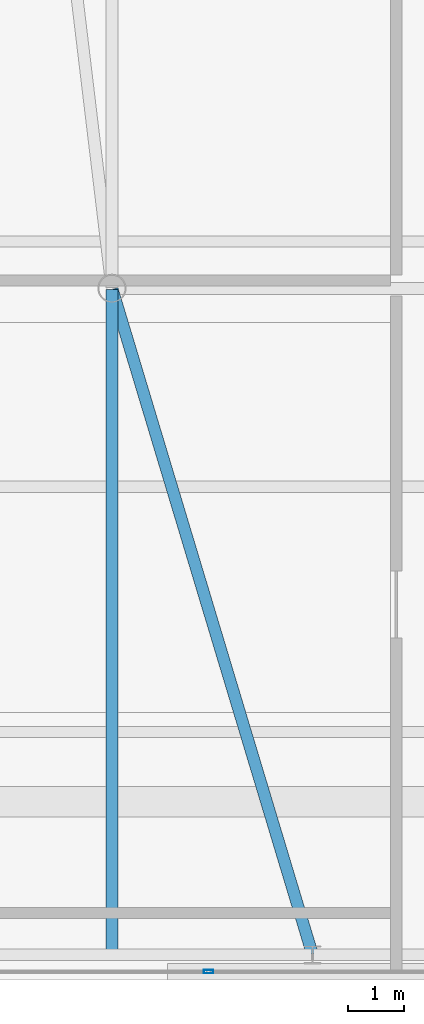
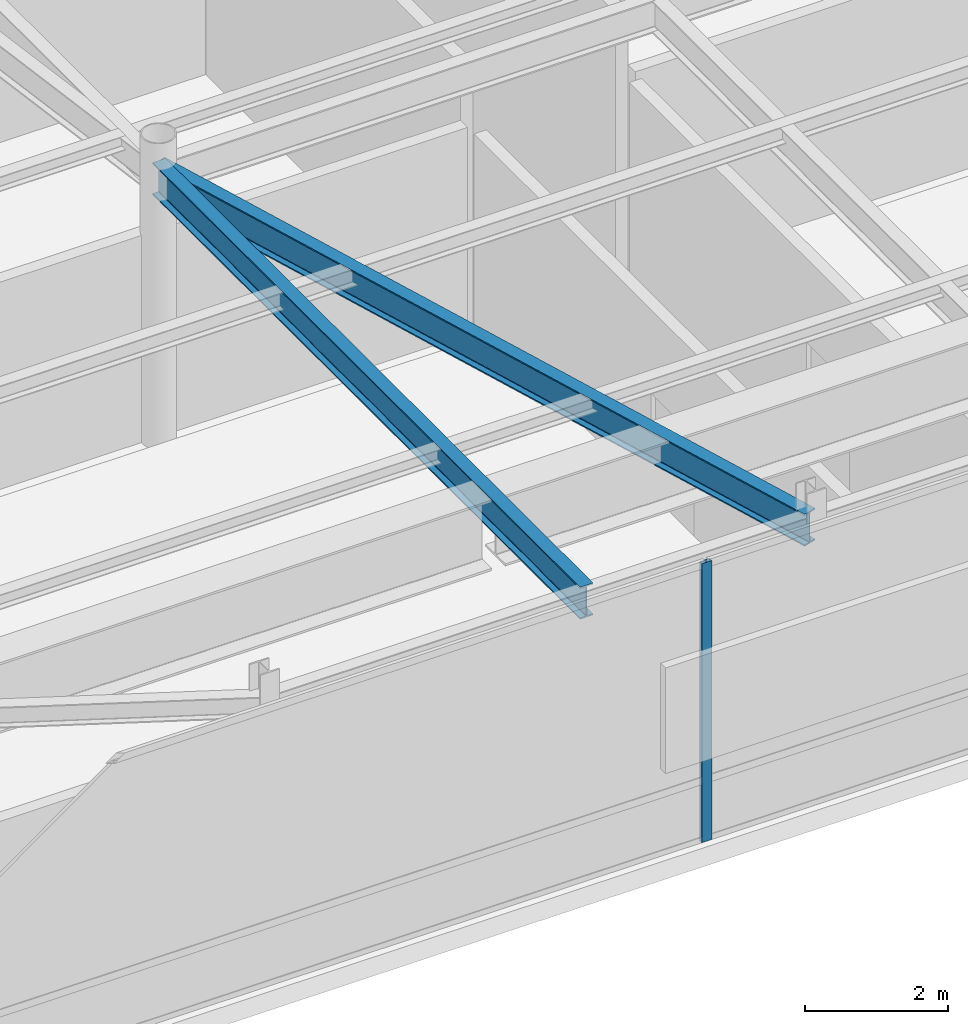
# One storey, part 6 of 20: 2 beams, 1 member, 1 element without a shape of its own.
"""IFC4 building model written with IfcOpenShell, lengths in metres."""

from ifc_helpers import new_model, si_unit, direction, frame, origin, origin_2d, place, context, subcontext, project, spatial, hollow_rectangle, i_section, extrude, source, transform, mapped, material, layer, layer_set, material_profile, profile_set, type_object, type_shapes, element, aggregate, save


model = new_model("IFC4")

# Units and contexts
model_context = context("Model", 3, precision=1e-05, world=origin(), true_north=direction((0.0, 1.0)))
body_context = subcontext(model_context, "Body", "Model", "MODEL_VIEW")
ifc_project = project(units=[si_unit("LENGTHUNIT", "METRE"), si_unit("AREAUNIT", "SQUARE_METRE"), si_unit("VOLUMEUNIT", "CUBIC_METRE"), si_unit("PLANEANGLEUNIT", "RADIAN"), si_unit("MASSUNIT", "GRAM", prefix="KILO")], contexts=[model_context])

# Site, building, storey
site_placement = place(None, origin())
site = spatial("IfcSite", under=ifc_project, at=site_placement, CompositionType="ELEMENT")
building_placement = place(site_placement, origin())
building = spatial("IfcBuilding", under=site, at=building_placement, Name="Varnel Quay Broadcast Tower", CompositionType="ELEMENT")
storey_placement = place(building_placement, frame((0.0, 0.0, 314.60009765625)))
storey = spatial("IfcBuildingStorey", under=building, at=storey_placement, Name="L78", CompositionType="ELEMENT", Elevation=314.60009765625)

# Beams
ifc_material_1 = material(Name="Structural Steel CSA G40.21 350W", Category="steel")
ifc_material_profile_1 = material_profile(ifc_material_1, i_section(OverallWidth=0.2119140625, OverallDepth=0.5439453125, WebThickness=0.01318359375, FlangeThickness=0.021240234375, FilletRadius=0.013916015625, at=origin_2d()), Name="W530X123")
ifc_profile_set_1 = profile_set([ifc_material_profile_1], Name="Structural Steel CSA G40.21 350W")
beam_type = type_object("IfcBeamType", Name="Girder_W530X123", PredefinedType="BEAM", material=ifc_profile_set_1)
shared_shape_1 = source(origin(), body_context, "Body", "SweptSolid", [
    extrude(i_section(OverallWidth=0.2119140625, OverallDepth=0.5439453125, WebThickness=0.01318359375, FlangeThickness=0.021240234375, FilletRadius=0.013916015625, at=origin_2d()), origin(), (0.0, 0.0, 1.0), 12.449951171875),
])
beam_1_placement = place(storey_placement, frame((29.59423828125, 13.669189453125, 4.477783203125), z_axis=(-0.28822390679, 0.957563042078, 0.0), x_axis=(-0.957563042078, -0.28822390679, 0.0)))
element("IfcBeam", 1, at=beam_1_placement, inside=storey, type_object=beam_type, Name="L78 Primary Girder TC-S2-IC-01", PredefinedType="BEAM", context=body_context, shape_type="MappedRepresentation", body=[
    mapped(shared_shape_1, transform((0.0, 0.0, 0.0), x_axis=(1.0, 0.0, 0.0), y_axis=(0.0, 1.0, 0.0), z_axis=(0.0, 0.0, 1.0), scale=1.0)),
])
shared_shape_2 = source(origin(), body_context, "Body", "SweptSolid", [
    extrude(i_section(OverallWidth=0.2119140625, OverallDepth=0.5439453125, WebThickness=0.01318359375, FlangeThickness=0.021240234375, FilletRadius=0.013916015625, at=origin_2d()), origin(), (0.0, 0.0, 1.0), 11.920166015625),
])
type_shapes(beam_type, [shared_shape_1, shared_shape_2])
beam_2_placement = place(storey_placement, frame((26.0, 13.669921875, 4.477783203125), z_axis=(0.0, 1.0, 0.0), x_axis=(-1.0, 0.0, 0.0)))
element("IfcBeam", 2, at=beam_2_placement, inside=storey, type_object=beam_type, Name="L78 N-S Joist Header IC-01S", PredefinedType="BEAM", context=body_context, shape_type="MappedRepresentation", body=[
    mapped(shared_shape_2, transform((0.0, 0.0, 0.0), x_axis=(1.0, 0.0, 0.0), y_axis=(0.0, 1.0, 0.0), z_axis=(0.0, 0.0, 1.0), scale=1.0)),
])

# Curtain wall, member
ifc_material_2 = material(Name="Anodised Bronze Aluminium 6063-T6", Category="aluminium")
ifc_layer = layer(ifc_material_2, 0.18994140625, Name="Anodised Bronze Aluminium 6063-T6")
ifc_layer_set = layer_set([ifc_layer], Name="Anodised Bronze Aluminium 6063-T6")
curtain_wall_type = type_object("IfcCurtainWallType", Name="CW_UpperTower", PredefinedType="NOTDEFINED", material=ifc_layer_set)
curtain_wall_placement = place(storey_placement, origin())
curtain_wall = element("IfcCurtainWall", 3, at=curtain_wall_placement, inside=storey, type_object=curtain_wall_type, Name="L78 South Unitised Curtain Wall 1", PredefinedType="NOTDEFINED")
ifc_material_profile_2 = material_profile(ifc_material_2, hollow_rectangle(XDim=0.06494140625, YDim=0.1650390625, WallThickness=0.00341796875, at=origin_2d()), Name="ALU65X165X3.5")
ifc_profile_set_2 = profile_set([ifc_material_profile_2], Name="Anodised Bronze Aluminium 6063-T6")
member_type = type_object("IfcMemberType", Name="Mull_CWS-03", PredefinedType="MULLION", material=ifc_profile_set_2)
shared_shape_3 = source(origin(), body_context, "Body", "SweptSolid", [
    extrude(hollow_rectangle(XDim=0.06494140625, YDim=0.1650390625, WallThickness=0.00341796875, at=origin_2d()), origin(), (0.0, 0.0, 1.0), 4.75),
])
type_shapes(member_type, [shared_shape_3])
member_placement = place(storey_placement, frame((27.7333984375, 13.35009765625, 0.0), z_axis=(0.0, 0.0, 1.0), x_axis=(0.0, 1.0, 0.0)))
member = element("IfcMember", 4, at=member_placement, type_object=member_type, Name="CWS-03 mullion 2", PredefinedType="MULLION", context=body_context, shape_type="MappedRepresentation", body=[
    mapped(shared_shape_3, transform((0.0, 0.0, 0.0), x_axis=(1.0, 0.0, 0.0), y_axis=(0.0, 1.0, 0.0), z_axis=(0.0, 0.0, 1.0), scale=1.0)),
])
aggregate(curtain_wall, [member])

save(model, "model.ifc")
